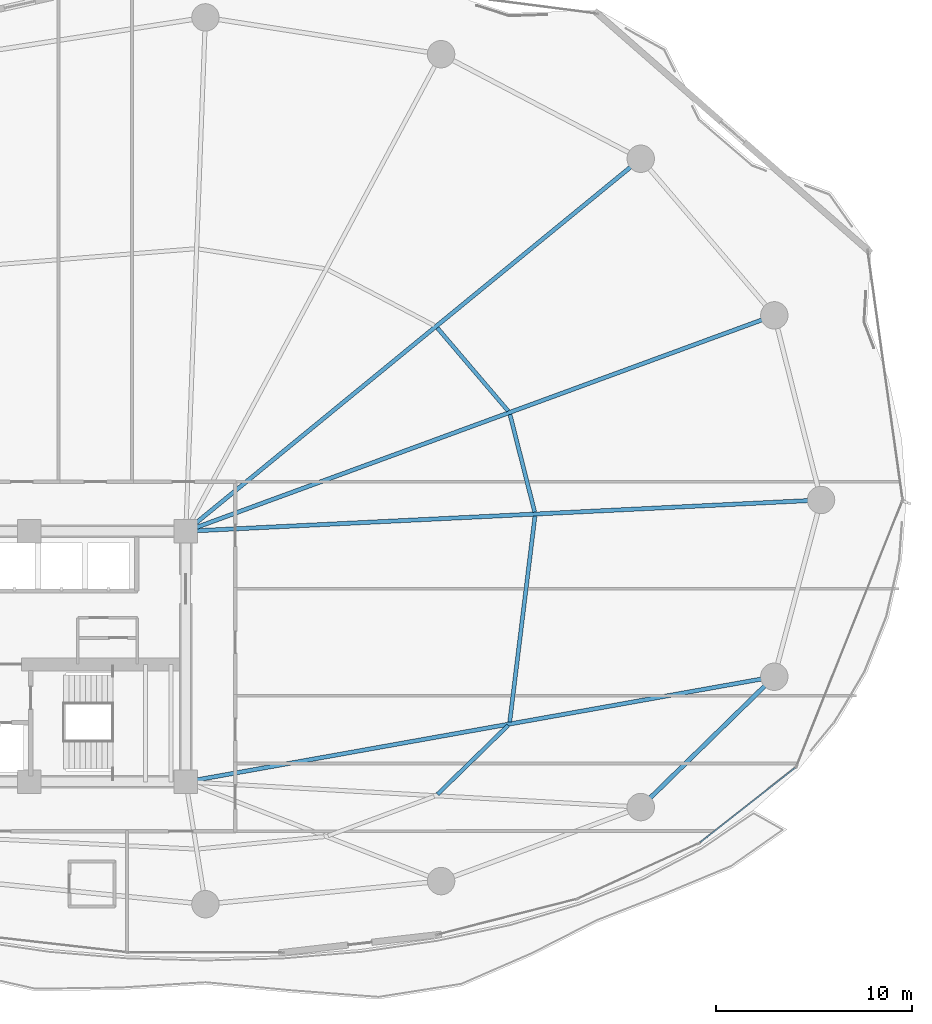
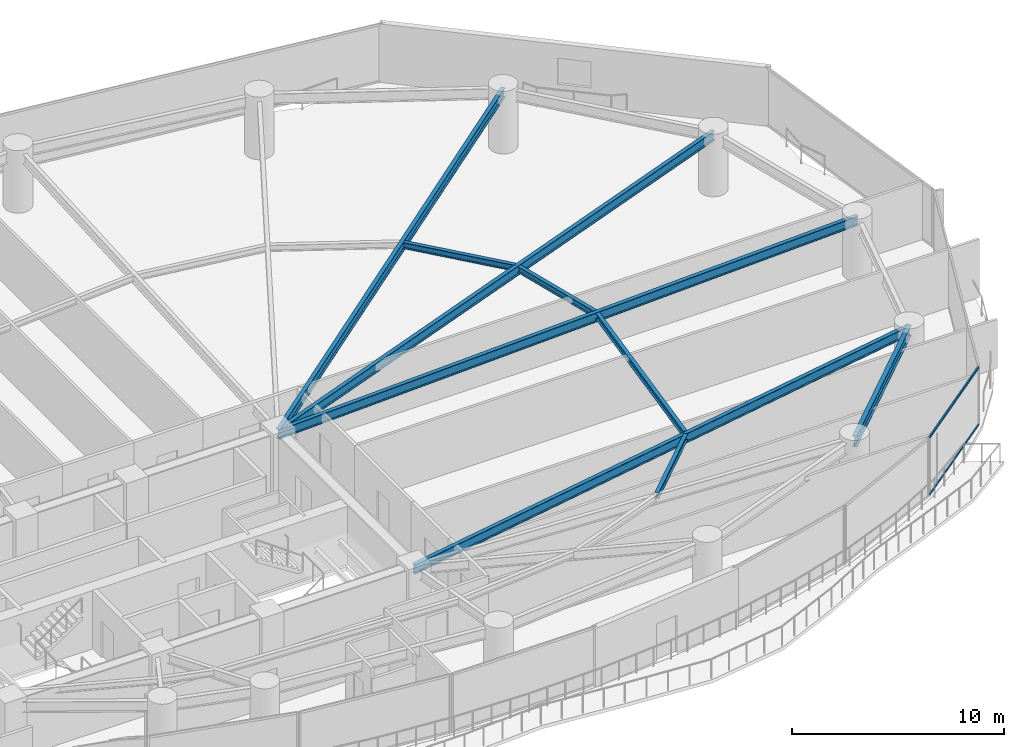
# One storey, part 14 of 31: 9 beams, 2 members, 1 element without a shape of its own.
"""IFC4 building model written with IfcOpenShell, lengths in metres."""

from ifc_helpers import new_model, si_unit, direction, frame, origin, origin_2d, place, context, subcontext, project, spatial, hollow_rectangle, i_section, extrude, material, layer, layer_set, material_profile, profile_set, type_object, element, aggregate, save


model = new_model("IFC4")

# Units and contexts
model_context = context("Model", 3, precision=1e-05, world=origin(), true_north=direction((0.0, 1.0)))
body_context = subcontext(model_context, "Body", "Model", "MODEL_VIEW")
ifc_project = project(units=[si_unit("LENGTHUNIT", "METRE"), si_unit("AREAUNIT", "SQUARE_METRE"), si_unit("VOLUMEUNIT", "CUBIC_METRE"), si_unit("PLANEANGLEUNIT", "RADIAN"), si_unit("MASSUNIT", "GRAM", prefix="KILO")], contexts=[model_context])

# Site, building, storey
site_placement = place(None, origin())
site = spatial("IfcSite", under=ifc_project, at=site_placement, CompositionType="ELEMENT")
building_placement = place(site_placement, origin())
building = spatial("IfcBuilding", under=site, at=building_placement, Name="Kazevale Care Tower and Concert Hall", CompositionType="ELEMENT")
storey_placement = place(building_placement, frame((0.0, 0.0, 63.60009765625)))
storey = spatial("IfcBuildingStorey", under=building, at=storey_placement, Name="L16", CompositionType="ELEMENT", Elevation=63.60009765625)

# Curtain wall, members
ifc_material_1 = material(Name="Aluminium 6063-T6 and Low-E Glass", Category="aluminium")
ifc_layer = layer(ifc_material_1, 0.179931640625)
ifc_layer_set = layer_set([ifc_layer], Name="Aluminium 6063-T6 and Low-E Glass")
curtain_wall_type = type_object("IfcCurtainWallType", Name="Sheltered Concave Balcony Curtain Wall CW-5", PredefinedType="NOTDEFINED", material=ifc_layer_set)
curtain_wall_placement = place(storey_placement, origin())
curtain_wall = element("IfcCurtainWall", 1, at=curtain_wall_placement, inside=storey, type_object=curtain_wall_type, Name="cw:L16:f02", PredefinedType="NOTDEFINED")
ifc_material_2 = material(Name="Aluminium 6063-T6", Category="aluminium")
ifc_material_profile_1 = material_profile(ifc_material_2, hollow_rectangle(XDim=0.074951171875, YDim=0.1201171875, WallThickness=0.00390625, at=origin_2d()), Name="ALU75x120x4")
ifc_profile_set_1 = profile_set([ifc_material_profile_1], Name="Aluminium 6063-T6")
member_type = type_object("IfcMemberType", Name="CW-5 Transom ALU75x120x4", PredefinedType="USERDEFINED", material=ifc_profile_set_1)
member_1_placement = place(storey_placement, frame((75.123046875, 24.317626953125, 0.037353515625), z_axis=(-0.78633897536, -0.617795286344, 0.0), x_axis=(0.617795286344, -0.78633897536, 0.0)))
member_1 = element("IfcMember", 2, at=member_1_placement, type_object=member_type, Name="CW-5 transom 1.1", ObjectType="TRANSOM", PredefinedType="USERDEFINED", context=body_context, shape_type="SweptSolid", body=[
    extrude(hollow_rectangle(XDim=0.074951171875, YDim=0.1201171875, WallThickness=0.00390625, at=origin_2d()), origin(), (0.0, 0.0, 1.0), 6.15771484375),
])
member_2_placement = place(storey_placement, frame((75.123046875, 24.317626953125, 3.322509765625), z_axis=(-0.78633897536, -0.617795286344, 0.0), x_axis=(0.617795286344, -0.78633897536, 0.0)))
member_2 = element("IfcMember", 3, at=member_2_placement, type_object=member_type, Name="CW-5 transom 1.2", ObjectType="TRANSOM", PredefinedType="USERDEFINED", context=body_context, shape_type="SweptSolid", body=[
    extrude(hollow_rectangle(XDim=0.074951171875, YDim=0.1201171875, WallThickness=0.00390625, at=origin_2d()), origin(), (0.0, 0.0, 1.0), 6.15771484375),
])
aggregate(curtain_wall, [member_1, member_2])

# Beams
ifc_material_3 = material(Name="Steel ASTM A572 Gr 50", Category="steel")
ifc_material_profile_2 = material_profile(ifc_material_3, i_section(OverallWidth=0.2119140625, OverallDepth=0.5439453125, WebThickness=0.01318359375, FlangeThickness=0.021240234375, at=origin_2d()), Name="W530x123")
ifc_profile_set_2 = profile_set([ifc_material_profile_2], Name="Steel ASTM A572 Gr 50")
beam_type_1 = type_object("IfcBeamType", Name="Radial Floor Girder W530x123", PredefinedType="BEAM", material=ifc_profile_set_2)
beam_1_placement = place(storey_placement, frame((44.0, 36.39990234375, 3.087890625), z_axis=(0.998786488782, 0.049249871327, 0.0), x_axis=(-0.049249871327, 0.998786488782, 0.0)))
element("IfcBeam", 4, at=beam_1_placement, inside=storey, type_object=beam_type_1, Name="beam:L16:rad:01", PredefinedType="BEAM", context=body_context, shape_type="SweptSolid", body=[
    extrude(i_section(OverallWidth=0.2119140625, OverallDepth=0.5439453125, WebThickness=0.01318359375, FlangeThickness=0.021240234375, at=origin_2d()), origin(), (0.0, 0.0, 1.0), 32.4892578125),
])
beam_2_placement = place(storey_placement, frame((44.0, 36.39990234375, 3.087890625), z_axis=(0.938795458019, 0.34447509054, 0.0), x_axis=(-0.34447509054, 0.938795458019, 0.0)))
element("IfcBeam", 5, at=beam_2_placement, inside=storey, type_object=beam_type_1, Name="beam:L16:rad:02", PredefinedType="BEAM", context=body_context, shape_type="SweptSolid", body=[
    extrude(i_section(OverallWidth=0.2119140625, OverallDepth=0.5439453125, WebThickness=0.01318359375, FlangeThickness=0.021240234375, at=origin_2d()), origin(), (0.0, 0.0, 1.0), 32.019775390625),
])
beam_3_placement = place(storey_placement, frame((44.0, 36.39990234375, 3.087890625), z_axis=(0.773704467398, 0.633546681097, 0.0), x_axis=(-0.633546681097, 0.773704467398, 0.0)))
element("IfcBeam", 6, at=beam_3_placement, inside=storey, type_object=beam_type_1, Name="beam:L16:rad:03", PredefinedType="BEAM", context=body_context, shape_type="SweptSolid", body=[
    extrude(i_section(OverallWidth=0.2119140625, OverallDepth=0.5439453125, WebThickness=0.01318359375, FlangeThickness=0.021240234375, at=origin_2d()), origin(), (0.0, 0.0, 1.0), 30.037353515625),
])
beam_4_placement = place(storey_placement, frame((44.0, 23.60009765625, 3.087890625), z_axis=(0.984416208219, 0.175854283415, 0.0), x_axis=(-0.175854283415, 0.984416208219, 0.0)))
element("IfcBeam", 7, at=beam_4_placement, inside=storey, type_object=beam_type_1, Name="beam:L16:rad:16", PredefinedType="BEAM", context=body_context, shape_type="SweptSolid", body=[
    extrude(i_section(OverallWidth=0.2119140625, OverallDepth=0.5439453125, WebThickness=0.01318359375, FlangeThickness=0.021240234375, at=origin_2d()), origin(), (0.0, 0.0, 1.0), 30.535888671875),
])
ifc_material_profile_3 = material_profile(ifc_material_3, i_section(OverallWidth=0.22900390625, OverallDepth=0.612060546875, WebThickness=0.011962890625, FlangeThickness=0.01953125, at=origin_2d()), Name="W610x125")
ifc_profile_set_3 = profile_set([ifc_material_profile_3], Name="Steel ASTM A572 Gr 50")
beam_type_2 = type_object("IfcBeamType", Name="Ring Spandrel Beam W610x125", PredefinedType="SPANDREL", material=ifc_profile_set_3)
beam_5_placement = place(storey_placement, frame((67.239990234375, 22.31005859375, 3.053955078125), z_axis=(0.715457453508, 0.698656304788, 0.0), x_axis=(-0.698656304788, 0.715457453508, 0.0)))
element("IfcBeam", 8, at=beam_5_placement, inside=storey, type_object=beam_type_2, Name="beam:L16:ring:15", PredefinedType="SPANDREL", context=body_context, shape_type="SweptSolid", body=[
    extrude(i_section(OverallWidth=0.22900390625, OverallDepth=0.612060546875, WebThickness=0.011962890625, FlangeThickness=0.01953125, at=origin_2d()), origin(), (0.0, 0.0, 1.0), 9.532470703125),
])
ifc_material_profile_4 = material_profile(ifc_material_3, i_section(OverallWidth=0.205078125, OverallDepth=0.35400390625, WebThickness=0.009521484375, FlangeThickness=0.016845703125, at=origin_2d()), Name="W360x79")
ifc_profile_set_4 = profile_set([ifc_material_profile_4], Name="Steel ASTM A572 Gr 50")
beam_type_3 = type_object("IfcBeamType", Name="Secondary Floor Joist W360x79", PredefinedType="JOIST", material=ifc_profile_set_4)
beam_6_placement = place(storey_placement, frame((61.822021484375, 37.382080078125, 3.182861328125), z_axis=(-0.24568570229, 0.969349542575, 0.0), x_axis=(-0.969349542575, -0.24568570229, 0.0)))
element("IfcBeam", 9, at=beam_6_placement, inside=storey, type_object=beam_type_3, Name="beam:L16:joist:01", PredefinedType="JOIST", context=body_context, shape_type="SweptSolid", body=[
    extrude(i_section(OverallWidth=0.205078125, OverallDepth=0.35400390625, WebThickness=0.009521484375, FlangeThickness=0.016845703125, at=origin_2d()), origin(), (0.0, 0.0, 1.0), 5.140380859375),
])
beam_7_placement = place(storey_placement, frame((60.465087890625, 42.5458984375, 3.182861328125), z_axis=(-0.648685510477, 0.761056573783, 0.0), x_axis=(-0.761056573783, -0.648685510477, 0.0)))
element("IfcBeam", 10, at=beam_7_placement, inside=storey, type_object=beam_type_3, Name="beam:L16:joist:02", PredefinedType="JOIST", context=body_context, shape_type="SweptSolid", body=[
    extrude(i_section(OverallWidth=0.205078125, OverallDepth=0.35400390625, WebThickness=0.009521484375, FlangeThickness=0.016845703125, at=origin_2d()), origin(), (0.0, 0.0, 1.0), 5.57275390625),
])
beam_8_placement = place(storey_placement, frame((56.85693359375, 22.964111328125, 3.182861328125), z_axis=(0.715521089339, 0.698591132717, 0.0), x_axis=(-0.698591132717, 0.715521089339, 0.0)))
element("IfcBeam", 11, at=beam_8_placement, inside=storey, type_object=beam_type_3, Name="beam:L16:joist:15", PredefinedType="JOIST", context=body_context, shape_type="SweptSolid", body=[
    extrude(i_section(OverallWidth=0.205078125, OverallDepth=0.35400390625, WebThickness=0.009521484375, FlangeThickness=0.016845703125, at=origin_2d()), origin(), (0.0, 0.0, 1.0), 5.03271484375),
])
beam_9_placement = place(storey_placement, frame((60.5458984375, 26.657958984375, 3.182861328125), z_axis=(0.1216468088, 0.992573450133, 0.0), x_axis=(-0.992573450133, 0.1216468088, 0.0)))
element("IfcBeam", 12, at=beam_9_placement, inside=storey, type_object=beam_type_3, Name="beam:L16:joist:16", PredefinedType="JOIST", context=body_context, shape_type="SweptSolid", body=[
    extrude(i_section(OverallWidth=0.205078125, OverallDepth=0.35400390625, WebThickness=0.009521484375, FlangeThickness=0.016845703125, at=origin_2d()), origin(), (0.0, 0.0, 1.0), 10.5966796875),
])

save(model, "model.ifc")
